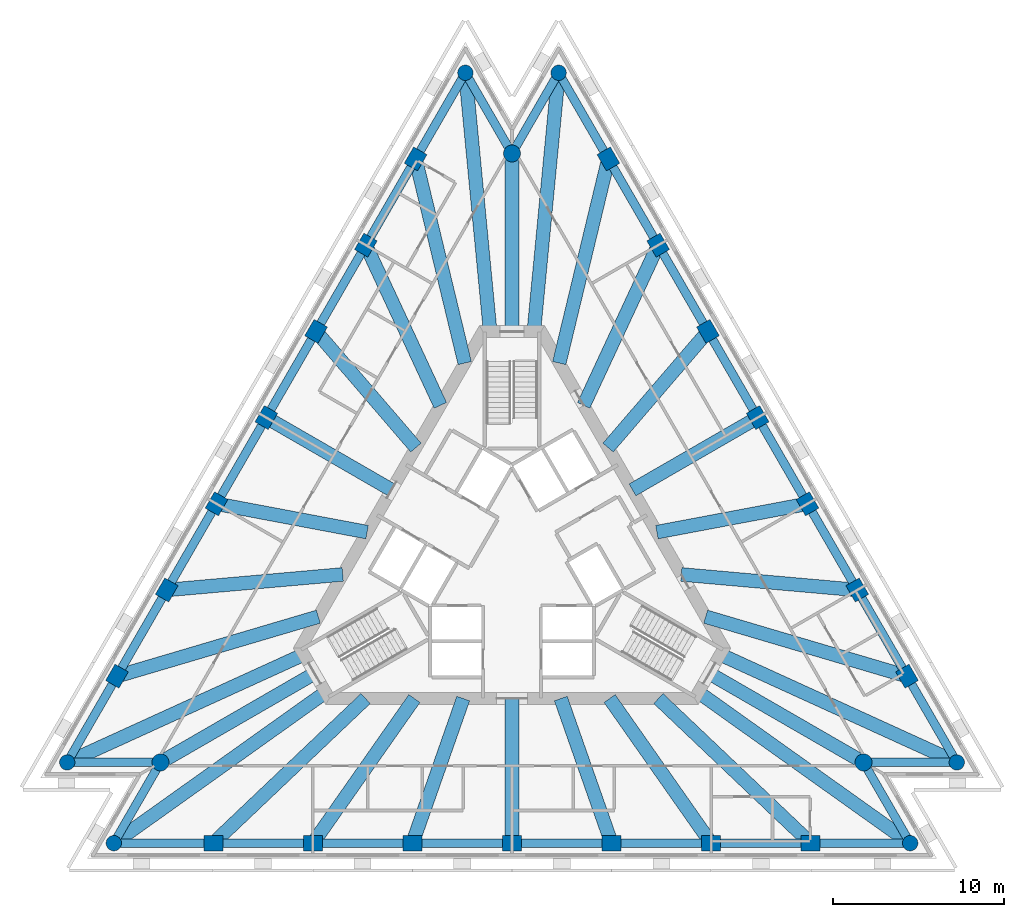
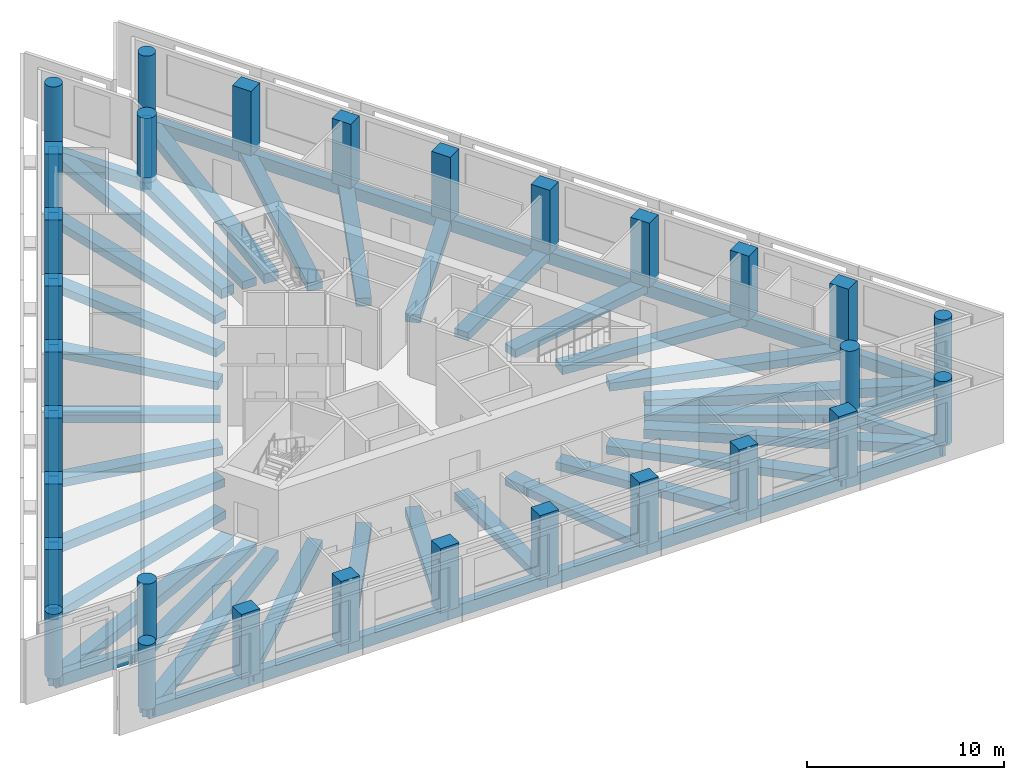
# One storey, part 1 of 10: 60 beams, 30 columns.
"""IFC4 building model written with IfcOpenShell, lengths in metres."""

import ifcopenshell
import ifcopenshell.guid

model = None  # the IFC model being written
_history = None  # IfcOwnerHistory: only IFC2X3 demands one
_inside = {}  # id of a spatial element -> (the spatial element, [elements in it])
_under = {}  # id of a project, library or spatial element -> (it, [spatial elements below it])
_declared = {}  # id of a project -> (the project, [libraries it declares])
_typed = {}  # id of a type object -> (the type object, [elements of that type])
_made_of = {}  # id of a material, layer set ... -> (it, [elements and type objects made of it])


def new_model(schema):
    """Start an empty IFC model of exactly this schema.

    Asked for "IFC4X3", IfcOpenShell would pick the latest addendum, in which some entities
    have other attributes; the version numbers below select the first issue.
    IFC2X3 requires an IfcOwnerHistory on every rooted entity: one is made here for all.
    """
    global model, _history
    if schema == "IFC4X3":
        model = ifcopenshell.file(schema_version=(4, 3, 0, 0))
    else:
        model = ifcopenshell.file(schema=schema)
    _inside.clear()
    _under.clear()
    _declared.clear()
    _typed.clear()
    _made_of.clear()
    _history = None
    if model.schema == "IFC2X3":
        org = make("IfcOrganization", Name="unknown")
        user = make(
            "IfcPersonAndOrganization",
            ThePerson=make("IfcPerson", FamilyName="unknown"),
            TheOrganization=org,
        )
        app = make(
            "IfcApplication",
            ApplicationDeveloper=org,
            Version="unknown",
            ApplicationFullName="unknown",
            ApplicationIdentifier="unknown",
        )
        _history = make(
            "IfcOwnerHistory",
            OwningUser=user,
            OwningApplication=app,
            ChangeAction="ADDED",
            CreationDate=0,
        )
    return model


def make(cls, **values):
    """One entity of the class cls with the attributes given. An attribute that is None is left unset."""
    return model.create_entity(
        cls, **{name: value for name, value in values.items() if value is not None}
    )


def rooted(cls, **values):
    """An entity with a GlobalId (a new one), such as an element, a storey or a relation."""
    return make(cls, GlobalId=ifcopenshell.guid.new(), OwnerHistory=_history, **values)


def si_unit(unit_type, name, prefix=None):
    """IfcSIUnit, for example si_unit("LENGTHUNIT", "METRE", prefix="MILLI")."""
    return make("IfcSIUnit", UnitType=unit_type, Prefix=prefix, Name=name)


def assignment(units):
    """IfcUnitAssignment: the units of a project."""
    return None if units is None else make("IfcUnitAssignment", Units=units)


def point(xyz):
    """IfcCartesianPoint."""
    return None if xyz is None else make("IfcCartesianPoint", Coordinates=xyz)


def direction(xyz):
    """IfcDirection."""
    return None if xyz is None else make("IfcDirection", DirectionRatios=xyz)


def frame(location, z_axis=None, x_axis=None):
    """IfcAxis2Placement3D, a coordinate frame: its origin and axes. An axis left out is left unset."""
    return make(
        "IfcAxis2Placement3D",
        Location=point(location),
        Axis=direction(z_axis),
        RefDirection=direction(x_axis),
    )


def frame_2d(location, x_axis=None):
    """IfcAxis2Placement2D, a coordinate frame in the plane: its origin and x axis."""
    return make(
        "IfcAxis2Placement2D", Location=point(location), RefDirection=direction(x_axis)
    )


def origin():
    """The frame at (0, 0, 0) with its axes left unset."""
    return frame((0.0, 0.0, 0.0))


def origin_2d():
    """The frame at (0, 0) in the plane with its x axis left unset."""
    return frame_2d((0.0, 0.0))


def place(relative_to, where):
    """IfcLocalPlacement: puts the frame where relative to a parent placement (None: the world)."""
    return make(
        "IfcLocalPlacement", PlacementRelTo=relative_to, RelativePlacement=where
    )


def context(
    kind, dimensions, precision=None, world=None, true_north=None, identifier=None
):
    """IfcGeometricRepresentationContext, for example the 3D "Model" context."""
    return make(
        "IfcGeometricRepresentationContext",
        ContextIdentifier=identifier,
        ContextType=kind,
        CoordinateSpaceDimension=dimensions,
        Precision=precision,
        WorldCoordinateSystem=world,
        TrueNorth=true_north,
    )


def subcontext(parent, identifier, kind, view, scale=None):
    """IfcGeometricRepresentationSubContext, for example "Body" below "Model"."""
    return make(
        "IfcGeometricRepresentationSubContext",
        ContextIdentifier=identifier,
        ContextType=kind,
        ParentContext=parent,
        TargetScale=scale,
        TargetView=view,
    )


def project(units=None, contexts=None):
    """IfcProject with its units and contexts."""
    return rooted(
        "IfcProject",
        Name="project",
        RepresentationContexts=contexts,
        UnitsInContext=assignment(units),
    )


def spatial(cls, under=None, at=None, **own):
    """A site, building, storey or space (cls), placed at a placement, below another one or the project."""
    s = rooted(cls, ObjectPlacement=at, **own)
    if under is not None:
        _under.setdefault(under.id(), (under, []))[1].append(s)
    return s


def profile(cls, at=None, kind="AREA", **sizes):
    """A parametric profile (cls). Its sizes go by their IFC names, for example OverallWidth=200.0."""
    return make(cls, ProfileType=kind, Position=at, **sizes)


def rectangle(**sizes):
    """IfcRectangleProfileDef."""
    return profile("IfcRectangleProfileDef", **sizes)


def circle(**sizes):
    """IfcCircleProfileDef."""
    return profile("IfcCircleProfileDef", **sizes)


def extrude(swept, where, along, depth):
    """IfcExtrudedAreaSolid: the profile swept, set in the frame where, extruded along a direction by depth."""
    return make(
        "IfcExtrudedAreaSolid",
        SweptArea=swept,
        Position=where,
        ExtrudedDirection=direction(along),
        Depth=depth,
    )


def shape(context_of_items, identifier, shape_type, items):
    """IfcShapeRepresentation: the items that make up one representation, for example the "Body"."""
    return make(
        "IfcShapeRepresentation",
        ContextOfItems=context_of_items,
        RepresentationIdentifier=identifier,
        RepresentationType=shape_type,
        Items=items,
    )


def material(Name=None, Category=None):
    """IfcMaterial."""
    return make("IfcMaterial", Name=Name, Category=Category)


def material_profile(
    of_material, cross_section, Name=None, Category=None, Priority=None
):
    """IfcMaterialProfile: a cross section and its material."""
    return make(
        "IfcMaterialProfile",
        Name=Name,
        Material=of_material,
        Profile=cross_section,
        Priority=Priority,
        Category=Category,
    )


def profile_set(profiles, Name=None, composite=None):
    """IfcMaterialProfileSet."""
    return make(
        "IfcMaterialProfileSet",
        Name=Name,
        MaterialProfiles=profiles,
        CompositeProfile=composite,
    )


def made_of(thing, what):
    """Note that an element or type object is made of a material, layer set ...; save() writes the relation."""
    if what is not None:
        _made_of.setdefault(what.id(), (what, []))[1].append(thing)
    return thing


def type_object(cls, material=None, **own):
    """A type object (cls), such as IfcWallType, which elements share."""
    return made_of(rooted(cls, **own), material)


def element(
    cls,
    number,
    at=None,
    inside=None,
    cuts=None,
    type_object=None,
    material=None,
    context=None,
    identifier="Body",
    shape_type=None,
    held_by="IfcProductDefinitionShape",
    body=None,
    shapes=None,
    **own,
):
    """One element of the class cls, such as IfcWall. Its Tag is "e" and its number.

    at: its placement. inside: the storey or other place that contains it. cuts: it is an
    opening in that element (IfcRelVoidsElement). A single representation is given by context,
    identifier, shape_type and body (its items); several are given by shapes. held_by: the class
    of the entity that holds the representations. save() writes the other relations.
    """
    e = rooted(cls, Tag="e%d" % number, ObjectPlacement=at, **own)
    if body is not None:
        shapes = [shape(context, identifier, shape_type, body)]
    if shapes is not None:
        e.Representation = make(held_by, Representations=shapes)
    if inside is not None:
        _inside.setdefault(inside.id(), (inside, []))[1].append(e)
    if cuts is not None:
        rooted(
            "IfcRelVoidsElement", RelatingBuildingElement=cuts, RelatedOpeningElement=e
        )
    if type_object is not None:
        _typed.setdefault(type_object.id(), (type_object, []))[1].append(e)
    return made_of(e, material)


def aggregate(whole, parts):
    """IfcRelAggregates: a whole, such as a stair, and the parts it consists of."""
    return rooted("IfcRelAggregates", RelatingObject=whole, RelatedObjects=parts)


def save(model, path):
    """Write the relations noted so far, then the file.

    IfcRelAggregates (storeys below a building ...), IfcRelContainedInSpatialStructure (elements
    in a storey), IfcRelDefinesByType, IfcRelAssociatesMaterial and IfcRelDeclares: one each for
    every whole, place, type object, material and project.
    """
    for whole, parts in _under.values():
        aggregate(whole, parts)
    for where, things in _inside.values():
        rooted(
            "IfcRelContainedInSpatialStructure",
            RelatedElements=things,
            RelatingStructure=where,
        )
    for kind, things in _typed.values():
        rooted("IfcRelDefinesByType", RelatedObjects=things, RelatingType=kind)
    for what, things in _made_of.values():
        rooted("IfcRelAssociatesMaterial", RelatedObjects=things, RelatingMaterial=what)
    for by, libraries in _declared.values():
        rooted("IfcRelDeclares", RelatingContext=by, RelatedDefinitions=libraries)
    model.write(path)


model = new_model("IFC4")

# Units and contexts
model_context = context("Model", 3, precision=1e-05, world=origin(), true_north=direction((0.0, 1.0)))
body_context = subcontext(model_context, "Body", "Model", "MODEL_VIEW")
ifc_project = project(units=[si_unit("LENGTHUNIT", "METRE"), si_unit("AREAUNIT", "SQUARE_METRE"), si_unit("VOLUMEUNIT", "CUBIC_METRE"), si_unit("PLANEANGLEUNIT", "RADIAN"), si_unit("MASSUNIT", "GRAM", prefix="KILO")], contexts=[model_context])

# Site, building, storey
site_placement = place(None, origin())
site = spatial("IfcSite", under=ifc_project, at=site_placement, CompositionType="ELEMENT")
building_placement = place(site_placement, origin())
building = spatial("IfcBuilding", under=site, at=building_placement, Name="Triada Interchange Tower", CompositionType="ELEMENT")
storey_placement = place(building_placement, frame((0.0, 0.0, 239.300048828125)))
storey = spatial("IfcBuildingStorey", under=building, at=storey_placement, Name="L56", CompositionType="ELEMENT", Elevation=239.300048828125)

# Columns
ifc_material = material(Name="Concrete C50/60", Category="concrete")
ifc_material_profile_1 = material_profile(ifc_material, rectangle(XDim=1.10009765625, YDim=0.89990234375, at=origin_2d()), Name="RC 1100x900")
ifc_profile_set_1 = profile_set([ifc_material_profile_1], Name="Concrete C50/60")
column_type_1 = type_object("IfcColumnType", Name="Column C face RC 1100x900", PredefinedType="COLUMN", material=ifc_profile_set_1)
for number, where, z_axis, x_axis, name in (
    (1, (-5.64794921875, 23.466064453125, -0.300048828125), (0.0, 0.0, 1.0), (0.5, 0.866025403784, 0.0), "Column CC02 L56"),
    (2, (-8.56396484375, 18.4140625, -0.300048828125), (0.0, 0.0, 1.0), (0.5, 0.866025403784, 0.0), "Column CC03 L56"),
    (3, (-11.48095703125, 13.363037109375, -0.300048828125), (0.0, 0.0, 1.0), (0.5, 0.866025403784, 0.0), "Column CC04 L56"),
    (4, (-14.39697265625, 8.31201171875, -0.300048828125), (0.0, 0.0, 1.0), (0.5, 0.866025403784, 0.0), "Column CC05 L56"),
    (5, (-17.31298828125, 3.260986328125, -0.300048828125), (0.0, 0.0, 1.0), (0.5, 0.866025403784, 0.0), "Column CC06 L56"),
    (6, (-20.22998046875, -1.7900390625, -0.300048828125), (0.0, 0.0, 1.0), (0.5, 0.866025403784, 0.0), "Column CC07 L56"),
    (7, (-23.14599609375, -6.842041015625, -0.300048828125), (0.0, 0.0, 1.0), (0.5, 0.866025403784, 0.0), "Column CC08 L56"),
    (8, (-17.498046875, -16.6240234375, -0.300048828125), (0.0, 0.0, 1.0), (1.0, 0.0, 0.0), "Column CC11 L56"),
    (9, (-11.6650390625, -16.6240234375, -0.300048828125), (0.0, 0.0, 1.0), (1.0, 0.0, 0.0), "Column CC12 L56"),
    (10, (-5.83203125, -16.6240234375, -0.300048828125), (0.0, 0.0, 1.0), (1.0, 0.0, 0.0), "Column CC13 L56"),
    (11, (0.0, -16.6240234375, -0.300048828125), (0.0, 0.0, 1.0), (1.0, 0.0, 0.0), "Column CC14 L56"),
    (12, (5.83203125, -16.6240234375, -0.300048828125), (0.0, 0.0, 1.0), (1.0, 0.0, 0.0), "Column CC15 L56"),
    (13, (11.6650390625, -16.6240234375, -0.300048828125), (0.0, 0.0, 1.0), (1.0, 0.0, 0.0), "Column CC16 L56"),
    (14, (17.498046875, -16.6240234375, -0.300048828125), (0.0, 0.0, 1.0), (1.0, 0.0, 0.0), "Column CC17 L56"),
    (15, (23.14599609375, -6.842041015625, -0.300048828125), (0.0, 0.0, 1.0), (-0.5, 0.866025403784, 0.0), "Column CC20 L56"),
    (16, (20.22998046875, -1.791015625, -0.300048828125), (0.0, 0.0, 1.0), (-0.5, 0.866025403784, 0.0), "Column CC21 L56"),
    (17, (17.31298828125, 3.260986328125, -0.300048828125), (0.0, 0.0, 1.0), (-0.5, 0.866025403784, 0.0), "Column CC22 L56"),
    (18, (14.39697265625, 8.31201171875, -0.300048828125), (0.0, 0.0, 1.0), (-0.5, 0.866025403784, 0.0), "Column CC23 L56"),
    (19, (11.48095703125, 13.363037109375, -0.300048828125), (0.0, 0.0, 1.0), (-0.5, 0.866025403784, 0.0), "Column CC24 L56"),
    (20, (8.56396484375, 18.4140625, -0.300048828125), (0.0, 0.0, 1.0), (-0.5, 0.866025403784, 0.0), "Column CC25 L56"),
    (21, (5.64794921875, 23.466064453125, -0.300048828125), (0.0, 0.0, 1.0), (-0.5, 0.866025403784, 0.0), "Column CC26 L56"),
):
    element("IfcColumn", number, at=place(storey_placement, frame(where, z_axis=z_axis, x_axis=x_axis)), inside=storey, type_object=column_type_1, Name=name, PredefinedType="COLUMN", context=body_context, shape_type="SweptSolid", body=[
        extrude(rectangle(XDim=1.10009765625, YDim=0.89990234375, at=origin_2d()), origin(), (0.0, 0.0, 1.0), 4.0),
    ])
ifc_material_profile_2 = material_profile(ifc_material, circle(Radius=0.449951171875, at=origin_2d()), Name="RC D900")
ifc_profile_set_2 = profile_set([ifc_material_profile_2], Name="Concrete C50/60")
column_type_2 = type_object("IfcColumnType", Name="End column C RC D900", PredefinedType="COLUMN", material=ifc_profile_set_2)
for number, where, z_axis, x_axis, name in (
    (22, (-2.73193359375, 28.51708984375, -0.300048828125), (0.0, 0.0, 1.0), (0.5, 0.866025403784, 0.0), "Column CC01 L56"),
    (23, (-26.06201171875, -11.89306640625, -0.300048828125), (0.0, 0.0, 1.0), (0.5, 0.866025403784, 0.0), "Column CC09 L56"),
    (24, (-23.330078125, -16.6240234375, -0.300048828125), (0.0, 0.0, 1.0), (1.0, 0.0, 0.0), "Column CC10 L56"),
    (25, (23.330078125, -16.6240234375, -0.300048828125), (0.0, 0.0, 1.0), (1.0, 0.0, 0.0), "Column CC18 L56"),
    (26, (26.06201171875, -11.89306640625, -0.300048828125), (0.0, 0.0, 1.0), (-0.5, 0.866025403784, 0.0), "Column CC19 L56"),
    (27, (2.73193359375, 28.51708984375, -0.300048828125), (0.0, 0.0, 1.0), (-0.5, 0.866025403784, 0.0), "Column CC27 L56"),
):
    element("IfcColumn", number, at=place(storey_placement, frame(where, z_axis=z_axis, x_axis=x_axis)), inside=storey, type_object=column_type_2, Name=name, PredefinedType="COLUMN", context=body_context, shape_type="SweptSolid", body=[
        extrude(circle(Radius=0.449951171875, at=origin_2d()), origin(), (0.0, 0.0, 1.0), 4.0),
    ])
ifc_material_profile_3 = material_profile(ifc_material, circle(Radius=0.5, at=origin_2d()), Name="RC D1000")
ifc_profile_set_3 = profile_set([ifc_material_profile_3], Name="Concrete C50/60")
column_type_3 = type_object("IfcColumnType", Name="Mega column C RC D1000", PredefinedType="COLUMN", material=ifc_profile_set_3)
for number, where, z_axis, x_axis, name in (
    (28, (0.0, 23.784912109375, -0.300048828125), (0.0, 0.0, 1.0), (1.0, 0.0, 0.0), "Column MC1 L56"),
    (29, (-20.597900390625, -11.89306640625, -0.300048828125), (0.0, 0.0, 1.0), (1.0, 0.0, 0.0), "Column MC2 L56"),
    (30, (20.597900390625, -11.89306640625, -0.300048828125), (0.0, 0.0, 1.0), (1.0, 0.0, 0.0), "Column MC3 L56"),
):
    element("IfcColumn", number, at=place(storey_placement, frame(where, z_axis=z_axis, x_axis=x_axis)), inside=storey, type_object=column_type_3, Name=name, PredefinedType="COLUMN", context=body_context, shape_type="SweptSolid", body=[
        extrude(circle(Radius=0.5, at=origin_2d()), origin(), (0.0, 0.0, 1.0), 4.0),
    ])

# Beams
ifc_material_profile_4 = material_profile(ifc_material, rectangle(XDim=0.800048828125, YDim=0.5, at=origin_2d()), Name="RC 800x500")
ifc_profile_set_4 = profile_set([ifc_material_profile_4], Name="Concrete C50/60")
beam_type_1 = type_object("IfcBeamType", Name="Radial band beam C RC 800x500", PredefinedType="BEAM", material=ifc_profile_set_4)
beam_1_placement = place(storey_placement, frame((-5.64794921875, 23.466064453125, -0.550048828125), z_axis=(0.2339868033, -0.972239772835, 0.0), x_axis=(0.972239772835, 0.2339868033, 0.0)))
element("IfcBeam", 31, at=beam_1_placement, inside=storey, type_object=beam_type_1, Name="Radial band beam BC02 L56", PredefinedType="BEAM", context=body_context, shape_type="SweptSolid", body=[
    extrude(rectangle(XDim=0.800048828125, YDim=0.5, at=origin_2d()), origin(), (0.0, 0.0, 1.0), 12.3037109375),
])
beam_2_placement = place(storey_placement, frame((-8.56396484375, 18.4140625, -0.550048828125), z_axis=(0.421684301866, -0.906742714092, 0.0), x_axis=(0.906742714092, 0.421684301866, 0.0)))
element("IfcBeam", 32, at=beam_2_placement, inside=storey, type_object=beam_type_1, Name="Radial band beam BC03 L56", PredefinedType="BEAM", context=body_context, shape_type="SweptSolid", body=[
    extrude(rectangle(XDim=0.800048828125, YDim=0.5, at=origin_2d()), origin(), (0.0, 0.0, 1.0), 10.351318359375),
])
beam_3_placement = place(storey_placement, frame((-11.48095703125, 13.363037109375, -0.550048828125), z_axis=(0.651699799065, -0.758477008155, 0.0), x_axis=(0.758477008155, 0.651699799065, 0.0)))
element("IfcBeam", 33, at=beam_3_placement, inside=storey, type_object=beam_type_1, Name="Radial band beam BC04 L56", PredefinedType="BEAM", context=body_context, shape_type="SweptSolid", body=[
    extrude(rectangle(XDim=0.800048828125, YDim=0.5, at=origin_2d()), origin(), (0.0, 0.0, 1.0), 8.981201171875),
])
beam_4_placement = place(storey_placement, frame((-14.39697265625, 8.31201171875, -0.550048828125), z_axis=(0.866027263711, -0.4999967785, 0.0), x_axis=(0.4999967785, 0.866027263711, 0.0)))
element("IfcBeam", 34, at=beam_4_placement, inside=storey, type_object=beam_type_1, Name="Radial band beam BC05 L56", PredefinedType="BEAM", context=body_context, shape_type="SweptSolid", body=[
    extrude(rectangle(XDim=0.800048828125, YDim=0.5, at=origin_2d()), origin(), (0.0, 0.0, 1.0), 8.47412109375),
])
beam_5_placement = place(storey_placement, frame((-17.31298828125, 3.260986328125, -0.550048828125), z_axis=(0.982726919952, -0.185061613526, 0.0), x_axis=(0.185061613526, 0.982726919952, 0.0)))
element("IfcBeam", 35, at=beam_5_placement, inside=storey, type_object=beam_type_1, Name="Radial band beam BC06 L56", PredefinedType="BEAM", context=body_context, shape_type="SweptSolid", body=[
    extrude(rectangle(XDim=0.800048828125, YDim=0.5, at=origin_2d()), origin(), (0.0, 0.0, 1.0), 8.97998046875),
])
beam_6_placement = place(storey_placement, frame((-20.22998046875, -1.7900390625, -0.550048828125), z_axis=(0.996111733223, 0.088098892934, 0.0), x_axis=(-0.088098892934, 0.996111733223, 0.0)))
element("IfcBeam", 36, at=beam_6_placement, inside=storey, type_object=beam_type_1, Name="Radial band beam BC07 L56", PredefinedType="BEAM", context=body_context, shape_type="SweptSolid", body=[
    extrude(rectangle(XDim=0.800048828125, YDim=0.5, at=origin_2d()), origin(), (0.0, 0.0, 1.0), 10.353271484375),
])
beam_7_placement = place(storey_placement, frame((-23.14599609375, -6.842041015625, -0.550048828125), z_axis=(0.95897468421, 0.283491719533, 0.0), x_axis=(-0.283491719533, 0.95897468421, 0.0)))
element("IfcBeam", 37, at=beam_7_placement, inside=storey, type_object=beam_type_1, Name="Radial band beam BC08 L56", PredefinedType="BEAM", context=body_context, shape_type="SweptSolid", body=[
    extrude(rectangle(XDim=0.800048828125, YDim=0.5, at=origin_2d()), origin(), (0.0, 0.0, 1.0), 12.303955078125),
])
beam_8_placement = place(storey_placement, frame((-20.597900390625, -11.89306640625, -0.550048828125), z_axis=(0.866001293771, 0.500041757443, 0.0), x_axis=(-0.500041757443, 0.866001293771, 0.0)))
element("IfcBeam", 38, at=beam_8_placement, inside=storey, type_object=beam_type_1, Name="Radial band beam BC10 L56", PredefinedType="BEAM", context=body_context, shape_type="SweptSolid", body=[
    extrude(rectangle(XDim=0.800048828125, YDim=0.5, at=origin_2d()), origin(), (0.0, 0.0, 1.0), 10.43505859375),
])
beam_9_placement = place(storey_placement, frame((-17.498046875, -16.6240234375, -0.550048828125), z_axis=(0.725000919856, 0.688747897425, 0.0), x_axis=(-0.688747897425, 0.725000919856, 0.0)))
element("IfcBeam", 39, at=beam_9_placement, inside=storey, type_object=beam_type_1, Name="Radial band beam BC12 L56", PredefinedType="BEAM", context=body_context, shape_type="SweptSolid", body=[
    extrude(rectangle(XDim=0.800048828125, YDim=0.5, at=origin_2d()), origin(), (0.0, 0.0, 1.0), 12.3037109375),
])
beam_10_placement = place(storey_placement, frame((-11.6650390625, -16.6240234375, -0.550048828125), z_axis=(0.574380005921, 0.818588791029, 0.0), x_axis=(-0.818588791029, 0.574380005921, 0.0)))
element("IfcBeam", 40, at=beam_10_placement, inside=storey, type_object=beam_type_1, Name="Radial band beam BC13 L56", PredefinedType="BEAM", context=body_context, shape_type="SweptSolid", body=[
    extrude(rectangle(XDim=0.800048828125, YDim=0.5, at=origin_2d()), origin(), (0.0, 0.0, 1.0), 10.35205078125),
])
beam_11_placement = place(storey_placement, frame((-5.83203125, -16.6240234375, -0.550048828125), z_axis=(0.331064781468, 0.943608027982, 0.0), x_axis=(-0.943608027982, 0.331064781468, 0.0)))
element("IfcBeam", 41, at=beam_11_placement, inside=storey, type_object=beam_type_1, Name="Radial band beam BC14 L56", PredefinedType="BEAM", context=body_context, shape_type="SweptSolid", body=[
    extrude(rectangle(XDim=0.800048828125, YDim=0.5, at=origin_2d()), origin(), (0.0, 0.0, 1.0), 8.98046875),
])
beam_12_placement = place(storey_placement, frame((0.0, -16.6240234375, -0.550048828125), z_axis=(0.0, 1.0, 0.0), x_axis=(-1.0, 0.0, 0.0)))
element("IfcBeam", 42, at=beam_12_placement, inside=storey, type_object=beam_type_1, Name="Radial band beam BC15 L56", PredefinedType="BEAM", context=body_context, shape_type="SweptSolid", body=[
    extrude(rectangle(XDim=0.800048828125, YDim=0.5, at=origin_2d()), origin(), (0.0, 0.0, 1.0), 8.47412109375),
])
beam_13_placement = place(storey_placement, frame((5.83203125, -16.6240234375, -0.550048828125), z_axis=(-0.331064781468, 0.943608027982, 0.0), x_axis=(-0.943608027982, -0.331064781468, 0.0)))
element("IfcBeam", 43, at=beam_13_placement, inside=storey, type_object=beam_type_1, Name="Radial band beam BC16 L56", PredefinedType="BEAM", context=body_context, shape_type="SweptSolid", body=[
    extrude(rectangle(XDim=0.800048828125, YDim=0.5, at=origin_2d()), origin(), (0.0, 0.0, 1.0), 8.98046875),
])
beam_14_placement = place(storey_placement, frame((11.6650390625, -16.6240234375, -0.550048828125), z_axis=(-0.574380005921, 0.818588791029, 0.0), x_axis=(-0.818588791029, -0.574380005921, 0.0)))
element("IfcBeam", 44, at=beam_14_placement, inside=storey, type_object=beam_type_1, Name="Radial band beam BC17 L56", PredefinedType="BEAM", context=body_context, shape_type="SweptSolid", body=[
    extrude(rectangle(XDim=0.800048828125, YDim=0.5, at=origin_2d()), origin(), (0.0, 0.0, 1.0), 10.35205078125),
])
beam_15_placement = place(storey_placement, frame((17.498046875, -16.6240234375, -0.550048828125), z_axis=(-0.725000919856, 0.688747897425, 0.0), x_axis=(-0.688747897425, -0.725000919856, 0.0)))
element("IfcBeam", 45, at=beam_15_placement, inside=storey, type_object=beam_type_1, Name="Radial band beam BC18 L56", PredefinedType="BEAM", context=body_context, shape_type="SweptSolid", body=[
    extrude(rectangle(XDim=0.800048828125, YDim=0.5, at=origin_2d()), origin(), (0.0, 0.0, 1.0), 12.3037109375),
])
beam_16_placement = place(storey_placement, frame((20.597900390625, -11.89306640625, -0.550048828125), z_axis=(-0.866001293771, 0.500041757443, 0.0), x_axis=(-0.500041757443, -0.866001293771, 0.0)))
element("IfcBeam", 46, at=beam_16_placement, inside=storey, type_object=beam_type_1, Name="Radial band beam BC20 L56", PredefinedType="BEAM", context=body_context, shape_type="SweptSolid", body=[
    extrude(rectangle(XDim=0.800048828125, YDim=0.5, at=origin_2d()), origin(), (0.0, 0.0, 1.0), 10.43505859375),
])
beam_17_placement = place(storey_placement, frame((23.14599609375, -6.842041015625, -0.550048828125), z_axis=(-0.95897468421, 0.283491719533, 0.0), x_axis=(-0.283491719533, -0.95897468421, 0.0)))
element("IfcBeam", 47, at=beam_17_placement, inside=storey, type_object=beam_type_1, Name="Radial band beam BC22 L56", PredefinedType="BEAM", context=body_context, shape_type="SweptSolid", body=[
    extrude(rectangle(XDim=0.800048828125, YDim=0.5, at=origin_2d()), origin(), (0.0, 0.0, 1.0), 12.303955078125),
])
beam_18_placement = place(storey_placement, frame((20.22998046875, -1.791015625, -0.550048828125), z_axis=(-0.996102717596, 0.08820077096, 0.0), x_axis=(-0.08820077096, -0.996102717596, 0.0)))
element("IfcBeam", 48, at=beam_18_placement, inside=storey, type_object=beam_type_1, Name="Radial band beam BC23 L56", PredefinedType="BEAM", context=body_context, shape_type="SweptSolid", body=[
    extrude(rectangle(XDim=0.800048828125, YDim=0.5, at=origin_2d()), origin(), (0.0, 0.0, 1.0), 10.352294921875),
])
beam_19_placement = place(storey_placement, frame((17.31298828125, 3.260986328125, -0.550048828125), z_axis=(-0.982726919952, -0.185061613526, 0.0), x_axis=(0.185061613526, -0.982726919952, 0.0)))
element("IfcBeam", 49, at=beam_19_placement, inside=storey, type_object=beam_type_1, Name="Radial band beam BC24 L56", PredefinedType="BEAM", context=body_context, shape_type="SweptSolid", body=[
    extrude(rectangle(XDim=0.800048828125, YDim=0.5, at=origin_2d()), origin(), (0.0, 0.0, 1.0), 8.97998046875),
])
beam_20_placement = place(storey_placement, frame((14.39697265625, 8.31201171875, -0.550048828125), z_axis=(-0.866027263711, -0.4999967785, 0.0), x_axis=(0.4999967785, -0.866027263711, 0.0)))
element("IfcBeam", 50, at=beam_20_placement, inside=storey, type_object=beam_type_1, Name="Radial band beam BC25 L56", PredefinedType="BEAM", context=body_context, shape_type="SweptSolid", body=[
    extrude(rectangle(XDim=0.800048828125, YDim=0.5, at=origin_2d()), origin(), (0.0, 0.0, 1.0), 8.47412109375),
])
beam_21_placement = place(storey_placement, frame((11.48095703125, 13.363037109375, -0.550048828125), z_axis=(-0.651699799065, -0.758477008155, 0.0), x_axis=(0.758477008155, -0.651699799065, 0.0)))
element("IfcBeam", 51, at=beam_21_placement, inside=storey, type_object=beam_type_1, Name="Radial band beam BC26 L56", PredefinedType="BEAM", context=body_context, shape_type="SweptSolid", body=[
    extrude(rectangle(XDim=0.800048828125, YDim=0.5, at=origin_2d()), origin(), (0.0, 0.0, 1.0), 8.981201171875),
])
beam_22_placement = place(storey_placement, frame((8.56396484375, 18.4140625, -0.550048828125), z_axis=(-0.421684301866, -0.906742714092, 0.0), x_axis=(0.906742714092, -0.421684301866, 0.0)))
element("IfcBeam", 52, at=beam_22_placement, inside=storey, type_object=beam_type_1, Name="Radial band beam BC27 L56", PredefinedType="BEAM", context=body_context, shape_type="SweptSolid", body=[
    extrude(rectangle(XDim=0.800048828125, YDim=0.5, at=origin_2d()), origin(), (0.0, 0.0, 1.0), 10.351318359375),
])
beam_23_placement = place(storey_placement, frame((5.64794921875, 23.466064453125, -0.550048828125), z_axis=(-0.2339868033, -0.972239772835, 0.0), x_axis=(0.972239772835, -0.2339868033, 0.0)))
element("IfcBeam", 53, at=beam_23_placement, inside=storey, type_object=beam_type_1, Name="Radial band beam BC28 L56", PredefinedType="BEAM", context=body_context, shape_type="SweptSolid", body=[
    extrude(rectangle(XDim=0.800048828125, YDim=0.5, at=origin_2d()), origin(), (0.0, 0.0, 1.0), 12.3037109375),
])
beam_24_placement = place(storey_placement, frame((0.0, 23.784912109375, -0.550048828125), z_axis=(0.0, -1.0, 0.0), x_axis=(1.0, 0.0, 0.0)))
element("IfcBeam", 54, at=beam_24_placement, inside=storey, type_object=beam_type_1, Name="Radial band beam BC30 L56", PredefinedType="BEAM", context=body_context, shape_type="SweptSolid", body=[
    extrude(rectangle(XDim=0.800048828125, YDim=0.5, at=origin_2d()), origin(), (0.0, 0.0, 1.0), 10.434814453125),
])
ifc_material_profile_5 = material_profile(ifc_material, rectangle(XDim=0.800048828125, YDim=0.60009765625, at=origin_2d()), Name="RC 800x600")
ifc_profile_set_5 = profile_set([ifc_material_profile_5], Name="Concrete C50/60")
beam_type_2 = type_object("IfcBeamType", Name="Radial band beam C RC 800x600", PredefinedType="BEAM", material=ifc_profile_set_5)
beam_25_placement = place(storey_placement, frame((-2.73193359375, 28.51708984375, -0.60009765625), z_axis=(0.095355785386, -0.995443255135, 0.0), x_axis=(0.995443255135, 0.095355785386, 0.0)))
element("IfcBeam", 55, at=beam_25_placement, inside=storey, type_object=beam_type_2, Name="Radial band beam BC01 L56", PredefinedType="BEAM", context=body_context, shape_type="SweptSolid", body=[
    extrude(rectangle(XDim=0.800048828125, YDim=0.60009765625, at=origin_2d()), origin(), (0.0, 0.0, 1.0), 15.236328125),
])
beam_26_placement = place(storey_placement, frame((-26.06201171875, -11.89306640625, -0.60009765625), z_axis=(0.909760765154, 0.415132930742, 0.0), x_axis=(-0.415132930742, 0.909760765154, 0.0)))
element("IfcBeam", 56, at=beam_26_placement, inside=storey, type_object=beam_type_2, Name="Radial band beam BC09 L56", PredefinedType="BEAM", context=body_context, shape_type="SweptSolid", body=[
    extrude(rectangle(XDim=0.800048828125, YDim=0.60009765625, at=origin_2d()), origin(), (0.0, 0.0, 1.0), 15.236083984375),
])
for number, where, z_axis, x_axis, name in (
    (57, (-23.330078125, -16.6240234375, -0.60009765625), (0.814408545207, 0.58029192782, 0.0), (-0.58029192782, 0.814408545207, 0.0), "Radial band beam BC11 L56"),
    (58, (23.330078125, -16.6240234375, -0.60009765625), (-0.814408545207, 0.58029192782, 0.0), (-0.58029192782, -0.814408545207, 0.0), "Radial band beam BC19 L56"),
):
    element("IfcBeam", number, at=place(storey_placement, frame(where, z_axis=z_axis, x_axis=x_axis)), inside=storey, type_object=beam_type_2, Name=name, PredefinedType="BEAM", context=body_context, shape_type="SweptSolid", body=[
        extrude(rectangle(XDim=0.800048828125, YDim=0.60009765625, at=origin_2d()), origin(), (0.0, 0.0, 1.0), 15.235595703125),
    ])
beam_27_placement = place(storey_placement, frame((26.06201171875, -11.89306640625, -0.60009765625), z_axis=(-0.909760765154, 0.415132930742, 0.0), x_axis=(-0.415132930742, -0.909760765154, 0.0)))
element("IfcBeam", 59, at=beam_27_placement, inside=storey, type_object=beam_type_2, Name="Radial band beam BC21 L56", PredefinedType="BEAM", context=body_context, shape_type="SweptSolid", body=[
    extrude(rectangle(XDim=0.800048828125, YDim=0.60009765625, at=origin_2d()), origin(), (0.0, 0.0, 1.0), 15.236083984375),
])
beam_28_placement = place(storey_placement, frame((2.73193359375, 28.51708984375, -0.60009765625), z_axis=(-0.095355785386, -0.995443255135, 0.0), x_axis=(0.995443255135, -0.095355785386, 0.0)))
element("IfcBeam", 60, at=beam_28_placement, inside=storey, type_object=beam_type_2, Name="Radial band beam BC29 L56", PredefinedType="BEAM", context=body_context, shape_type="SweptSolid", body=[
    extrude(rectangle(XDim=0.800048828125, YDim=0.60009765625, at=origin_2d()), origin(), (0.0, 0.0, 1.0), 15.236328125),
])
ifc_material_profile_6 = material_profile(ifc_material, rectangle(XDim=0.5, YDim=0.75, at=origin_2d()), Name="RC 500x750")
ifc_profile_set_6 = profile_set([ifc_material_profile_6], Name="Concrete C50/60")
beam_type_3 = type_object("IfcBeamType", Name="Spandrel beam C RC 500x750", PredefinedType="BEAM", material=ifc_profile_set_6)
beam_29_placement = place(storey_placement, frame((-2.73193359375, 28.51708984375, -0.675048828125), z_axis=(-0.499974892651, -0.866039899034, 0.0), x_axis=(0.866039899034, -0.499974892651, 0.0)))
element("IfcBeam", 61, at=beam_29_placement, inside=storey, type_object=beam_type_3, Name="Spandrel beam EC01 L56", PredefinedType="BEAM", context=body_context, shape_type="SweptSolid", body=[
    extrude(rectangle(XDim=0.5, YDim=0.75, at=origin_2d()), origin(), (0.0, 0.0, 1.0), 5.832275390625),
])
beam_30_placement = place(storey_placement, frame((-5.64794921875, 23.466064453125, -0.675048828125), z_axis=(-0.49990240033, -0.866081745648, 0.0), x_axis=(0.866081745648, -0.49990240033, 0.0)))
element("IfcBeam", 62, at=beam_30_placement, inside=storey, type_object=beam_type_3, Name="Spandrel beam EC02 L56", PredefinedType="BEAM", context=body_context, shape_type="SweptSolid", body=[
    extrude(rectangle(XDim=0.5, YDim=0.75, at=origin_2d()), origin(), (0.0, 0.0, 1.0), 5.833251953125),
])
beam_31_placement = place(storey_placement, frame((-8.56396484375, 18.4140625, -0.675048828125), z_axis=(-0.500100460847, -0.865967394917, 0.0), x_axis=(0.865967394917, -0.500100460847, 0.0)))
element("IfcBeam", 63, at=beam_31_placement, inside=storey, type_object=beam_type_3, Name="Spandrel beam EC03 L56", PredefinedType="BEAM", context=body_context, shape_type="SweptSolid", body=[
    extrude(rectangle(XDim=0.5, YDim=0.75, at=origin_2d()), origin(), (0.0, 0.0, 1.0), 5.832763671875),
])
for number, where, z_axis, x_axis, name in (
    (64, (-11.48095703125, 13.363037109375, -0.675048828125), (-0.499974892651, -0.866039899034, 0.0), (0.866039899034, -0.499974892651, 0.0), "Spandrel beam EC04 L56"),
    (65, (-14.39697265625, 8.31201171875, -0.675048828125), (-0.499974892651, -0.866039899034, 0.0), (0.866039899034, -0.499974892651, 0.0), "Spandrel beam EC05 L56"),
):
    element("IfcBeam", number, at=place(storey_placement, frame(where, z_axis=z_axis, x_axis=x_axis)), inside=storey, type_object=beam_type_3, Name=name, PredefinedType="BEAM", context=body_context, shape_type="SweptSolid", body=[
        extrude(rectangle(XDim=0.5, YDim=0.75, at=origin_2d()), origin(), (0.0, 0.0, 1.0), 5.832275390625),
    ])
beam_32_placement = place(storey_placement, frame((-17.31298828125, 3.260986328125, -0.675048828125), z_axis=(-0.500100460847, -0.865967394917, 0.0), x_axis=(0.865967394917, -0.500100460847, 0.0)))
element("IfcBeam", 66, at=beam_32_placement, inside=storey, type_object=beam_type_3, Name="Spandrel beam EC06 L56", PredefinedType="BEAM", context=body_context, shape_type="SweptSolid", body=[
    extrude(rectangle(XDim=0.5, YDim=0.75, at=origin_2d()), origin(), (0.0, 0.0, 1.0), 5.832763671875),
])
beam_33_placement = place(storey_placement, frame((-20.22998046875, -1.7900390625, -0.675048828125), z_axis=(-0.49990240033, -0.866081745648, 0.0), x_axis=(0.866081745648, -0.49990240033, 0.0)))
element("IfcBeam", 67, at=beam_33_placement, inside=storey, type_object=beam_type_3, Name="Spandrel beam EC07 L56", PredefinedType="BEAM", context=body_context, shape_type="SweptSolid", body=[
    extrude(rectangle(XDim=0.5, YDim=0.75, at=origin_2d()), origin(), (0.0, 0.0, 1.0), 5.833251953125),
])
beam_34_placement = place(storey_placement, frame((-23.14599609375, -6.842041015625, -0.675048828125), z_axis=(-0.499974892651, -0.866039899034, 0.0), x_axis=(0.866039899034, -0.499974892651, 0.0)))
element("IfcBeam", 68, at=beam_34_placement, inside=storey, type_object=beam_type_3, Name="Spandrel beam EC08 L56", PredefinedType="BEAM", context=body_context, shape_type="SweptSolid", body=[
    extrude(rectangle(XDim=0.5, YDim=0.75, at=origin_2d()), origin(), (0.0, 0.0, 1.0), 5.832275390625),
])
beam_35_placement = place(storey_placement, frame((-26.06201171875, -11.89306640625, -0.675048828125), z_axis=(1.0, 0.0, 0.0), x_axis=(0.0, 1.0, 0.0)))
element("IfcBeam", 69, at=beam_35_placement, inside=storey, type_object=beam_type_3, Name="Spandrel beam EC09 L56", PredefinedType="BEAM", context=body_context, shape_type="SweptSolid", body=[
    extrude(rectangle(XDim=0.5, YDim=0.75, at=origin_2d()), origin(), (0.0, 0.0, 1.0), 5.464111328125),
])
beam_36_placement = place(storey_placement, frame((-20.597900390625, -11.89306640625, -0.675048828125), z_axis=(-0.500104113439, -0.865965285517, 0.0), x_axis=(0.865965285517, -0.500104113439, 0.0)))
element("IfcBeam", 70, at=beam_36_placement, inside=storey, type_object=beam_type_3, Name="Spandrel beam EC10 L56", PredefinedType="BEAM", context=body_context, shape_type="SweptSolid", body=[
    extrude(rectangle(XDim=0.5, YDim=0.75, at=origin_2d()), origin(), (0.0, 0.0, 1.0), 5.463134765625),
])
beam_37_placement = place(storey_placement, frame((-23.330078125, -16.6240234375, -0.675048828125), z_axis=(1.0, 0.0, 0.0), x_axis=(0.0, 1.0, 0.0)))
element("IfcBeam", 71, at=beam_37_placement, inside=storey, type_object=beam_type_3, Name="Spandrel beam EC11 L56", PredefinedType="BEAM", context=body_context, shape_type="SweptSolid", body=[
    extrude(rectangle(XDim=0.5, YDim=0.75, at=origin_2d()), origin(), (0.0, 0.0, 1.0), 5.83203125),
])
for number, where, z_axis, x_axis, name in (
    (72, (-17.498046875, -16.6240234375, -0.675048828125), (1.0, 0.0, 0.0), (0.0, 1.0, 0.0), "Spandrel beam EC12 L56"),
    (73, (-11.6650390625, -16.6240234375, -0.675048828125), (1.0, 0.0, 0.0), (0.0, 1.0, 0.0), "Spandrel beam EC13 L56"),
):
    element("IfcBeam", number, at=place(storey_placement, frame(where, z_axis=z_axis, x_axis=x_axis)), inside=storey, type_object=beam_type_3, Name=name, PredefinedType="BEAM", context=body_context, shape_type="SweptSolid", body=[
        extrude(rectangle(XDim=0.5, YDim=0.75, at=origin_2d()), origin(), (0.0, 0.0, 1.0), 5.8330078125),
    ])
for number, where, z_axis, x_axis, name in (
    (74, (-5.83203125, -16.6240234375, -0.675048828125), (1.0, 0.0, 0.0), (0.0, 1.0, 0.0), "Spandrel beam EC14 L56"),
    (75, (0.0, -16.6240234375, -0.675048828125), (1.0, 0.0, 0.0), (0.0, 1.0, 0.0), "Spandrel beam EC15 L56"),
):
    element("IfcBeam", number, at=place(storey_placement, frame(where, z_axis=z_axis, x_axis=x_axis)), inside=storey, type_object=beam_type_3, Name=name, PredefinedType="BEAM", context=body_context, shape_type="SweptSolid", body=[
        extrude(rectangle(XDim=0.5, YDim=0.75, at=origin_2d()), origin(), (0.0, 0.0, 1.0), 5.83203125),
    ])
for number, where, z_axis, x_axis, name in (
    (76, (5.83203125, -16.6240234375, -0.675048828125), (1.0, 0.0, 0.0), (0.0, 1.0, 0.0), "Spandrel beam EC16 L56"),
    (77, (11.6650390625, -16.6240234375, -0.675048828125), (1.0, 0.0, 0.0), (0.0, 1.0, 0.0), "Spandrel beam EC17 L56"),
):
    element("IfcBeam", number, at=place(storey_placement, frame(where, z_axis=z_axis, x_axis=x_axis)), inside=storey, type_object=beam_type_3, Name=name, PredefinedType="BEAM", context=body_context, shape_type="SweptSolid", body=[
        extrude(rectangle(XDim=0.5, YDim=0.75, at=origin_2d()), origin(), (0.0, 0.0, 1.0), 5.8330078125),
    ])
beam_38_placement = place(storey_placement, frame((17.498046875, -16.6240234375, -0.675048828125), z_axis=(1.0, 0.0, 0.0), x_axis=(0.0, 1.0, 0.0)))
element("IfcBeam", 78, at=beam_38_placement, inside=storey, type_object=beam_type_3, Name="Spandrel beam EC18 L56", PredefinedType="BEAM", context=body_context, shape_type="SweptSolid", body=[
    extrude(rectangle(XDim=0.5, YDim=0.75, at=origin_2d()), origin(), (0.0, 0.0, 1.0), 5.83203125),
])
beam_39_placement = place(storey_placement, frame((23.330078125, -16.6240234375, -0.675048828125), z_axis=(-0.500104113439, 0.865965285517, 0.0), x_axis=(-0.865965285517, -0.500104113439, 0.0)))
element("IfcBeam", 79, at=beam_39_placement, inside=storey, type_object=beam_type_3, Name="Spandrel beam EC19 L56", PredefinedType="BEAM", context=body_context, shape_type="SweptSolid", body=[
    extrude(rectangle(XDim=0.5, YDim=0.75, at=origin_2d()), origin(), (0.0, 0.0, 1.0), 5.463134765625),
])
beam_40_placement = place(storey_placement, frame((20.597900390625, -11.89306640625, -0.675048828125), z_axis=(1.0, 0.0, 0.0), x_axis=(0.0, 1.0, 0.0)))
element("IfcBeam", 80, at=beam_40_placement, inside=storey, type_object=beam_type_3, Name="Spandrel beam EC20 L56", PredefinedType="BEAM", context=body_context, shape_type="SweptSolid", body=[
    extrude(rectangle(XDim=0.5, YDim=0.75, at=origin_2d()), origin(), (0.0, 0.0, 1.0), 5.464111328125),
])
for number, where, z_axis, x_axis, name in (
    (81, (26.06201171875, -11.89306640625, -0.675048828125), (-0.499974892651, 0.866039899034, 0.0), (-0.866039899034, -0.499974892651, 0.0), "Spandrel beam EC21 L56"),
    (82, (23.14599609375, -6.842041015625, -0.675048828125), (-0.499974892651, 0.866039899034, 0.0), (-0.866039899034, -0.499974892651, 0.0), "Spandrel beam EC22 L56"),
):
    element("IfcBeam", number, at=place(storey_placement, frame(where, z_axis=z_axis, x_axis=x_axis)), inside=storey, type_object=beam_type_3, Name=name, PredefinedType="BEAM", context=body_context, shape_type="SweptSolid", body=[
        extrude(rectangle(XDim=0.5, YDim=0.75, at=origin_2d()), origin(), (0.0, 0.0, 1.0), 5.832275390625),
    ])
beam_41_placement = place(storey_placement, frame((20.22998046875, -1.791015625, -0.675048828125), z_axis=(-0.500027962457, 0.86600925905, 0.0), x_axis=(-0.86600925905, -0.500027962457, 0.0)))
element("IfcBeam", 83, at=beam_41_placement, inside=storey, type_object=beam_type_3, Name="Spandrel beam EC23 L56", PredefinedType="BEAM", context=body_context, shape_type="SweptSolid", body=[
    extrude(rectangle(XDim=0.5, YDim=0.75, at=origin_2d()), origin(), (0.0, 0.0, 1.0), 5.833740234375),
])
for number, where, z_axis, x_axis, name in (
    (84, (17.31298828125, 3.260986328125, -0.675048828125), (-0.499974892651, 0.866039899034, 0.0), (-0.866039899034, -0.499974892651, 0.0), "Spandrel beam EC24 L56"),
    (85, (14.39697265625, 8.31201171875, -0.675048828125), (-0.499974892651, 0.866039899034, 0.0), (-0.866039899034, -0.499974892651, 0.0), "Spandrel beam EC25 L56"),
):
    element("IfcBeam", number, at=place(storey_placement, frame(where, z_axis=z_axis, x_axis=x_axis)), inside=storey, type_object=beam_type_3, Name=name, PredefinedType="BEAM", context=body_context, shape_type="SweptSolid", body=[
        extrude(rectangle(XDim=0.5, YDim=0.75, at=origin_2d()), origin(), (0.0, 0.0, 1.0), 5.832275390625),
    ])
beam_42_placement = place(storey_placement, frame((11.48095703125, 13.363037109375, -0.675048828125), z_axis=(-0.500100460847, 0.865967394917, 0.0), x_axis=(-0.865967394917, -0.500100460847, 0.0)))
element("IfcBeam", 86, at=beam_42_placement, inside=storey, type_object=beam_type_3, Name="Spandrel beam EC26 L56", PredefinedType="BEAM", context=body_context, shape_type="SweptSolid", body=[
    extrude(rectangle(XDim=0.5, YDim=0.75, at=origin_2d()), origin(), (0.0, 0.0, 1.0), 5.832763671875),
])
beam_43_placement = place(storey_placement, frame((8.56396484375, 18.4140625, -0.675048828125), z_axis=(-0.49990240033, 0.866081745648, 0.0), x_axis=(-0.866081745648, -0.49990240033, 0.0)))
element("IfcBeam", 87, at=beam_43_placement, inside=storey, type_object=beam_type_3, Name="Spandrel beam EC27 L56", PredefinedType="BEAM", context=body_context, shape_type="SweptSolid", body=[
    extrude(rectangle(XDim=0.5, YDim=0.75, at=origin_2d()), origin(), (0.0, 0.0, 1.0), 5.833251953125),
])
beam_44_placement = place(storey_placement, frame((5.64794921875, 23.466064453125, -0.675048828125), z_axis=(-0.499974892651, 0.866039899034, 0.0), x_axis=(-0.866039899034, -0.499974892651, 0.0)))
element("IfcBeam", 88, at=beam_44_placement, inside=storey, type_object=beam_type_3, Name="Spandrel beam EC28 L56", PredefinedType="BEAM", context=body_context, shape_type="SweptSolid", body=[
    extrude(rectangle(XDim=0.5, YDim=0.75, at=origin_2d()), origin(), (0.0, 0.0, 1.0), 5.832275390625),
])
for number, where, z_axis, x_axis, name in (
    (89, (2.73193359375, 28.51708984375, -0.675048828125), (-0.499973852758, -0.866040499375, 0.0), (0.866040499375, -0.499973852758, 0.0), "Spandrel beam EC29 L56"),
    (90, (0.0, 23.784912109375, -0.675048828125), (-0.499973852758, 0.866040499375, 0.0), (-0.866040499375, -0.499973852758, 0.0), "Spandrel beam EC30 L56"),
):
    element("IfcBeam", number, at=place(storey_placement, frame(where, z_axis=z_axis, x_axis=x_axis)), inside=storey, type_object=beam_type_3, Name=name, PredefinedType="BEAM", context=body_context, shape_type="SweptSolid", body=[
        extrude(rectangle(XDim=0.5, YDim=0.75, at=origin_2d()), origin(), (0.0, 0.0, 1.0), 5.464111328125),
    ])

save(model, "model.ifc")
